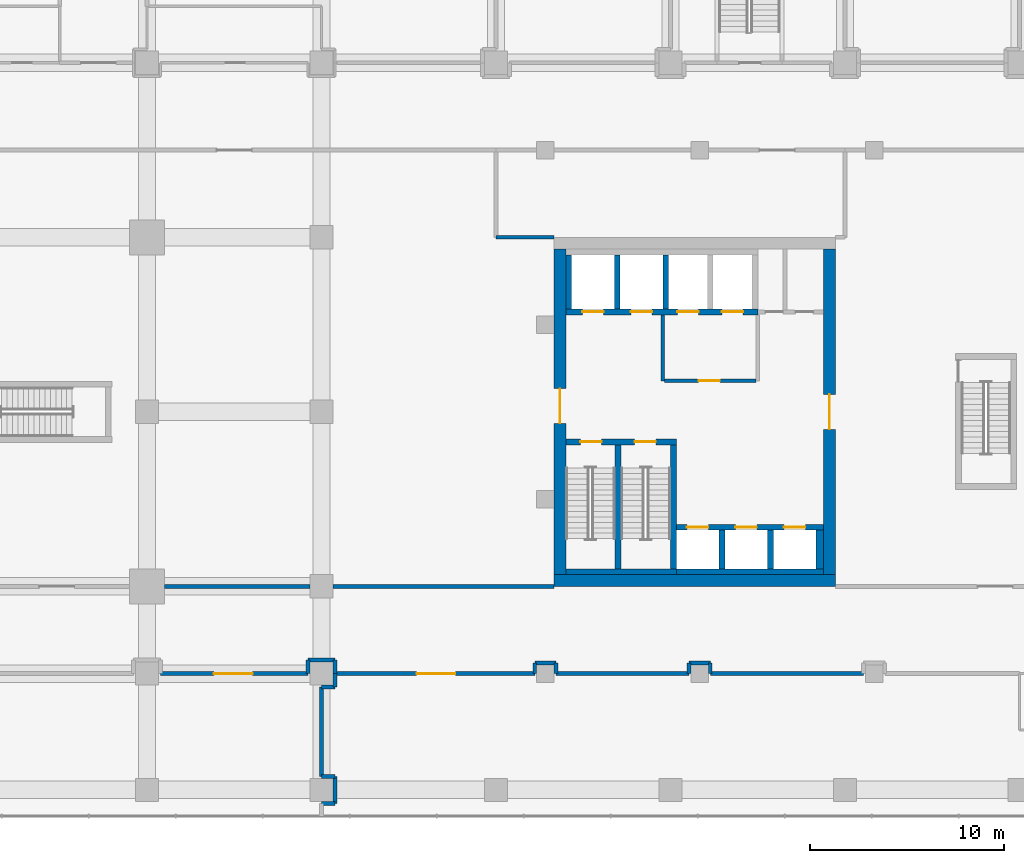
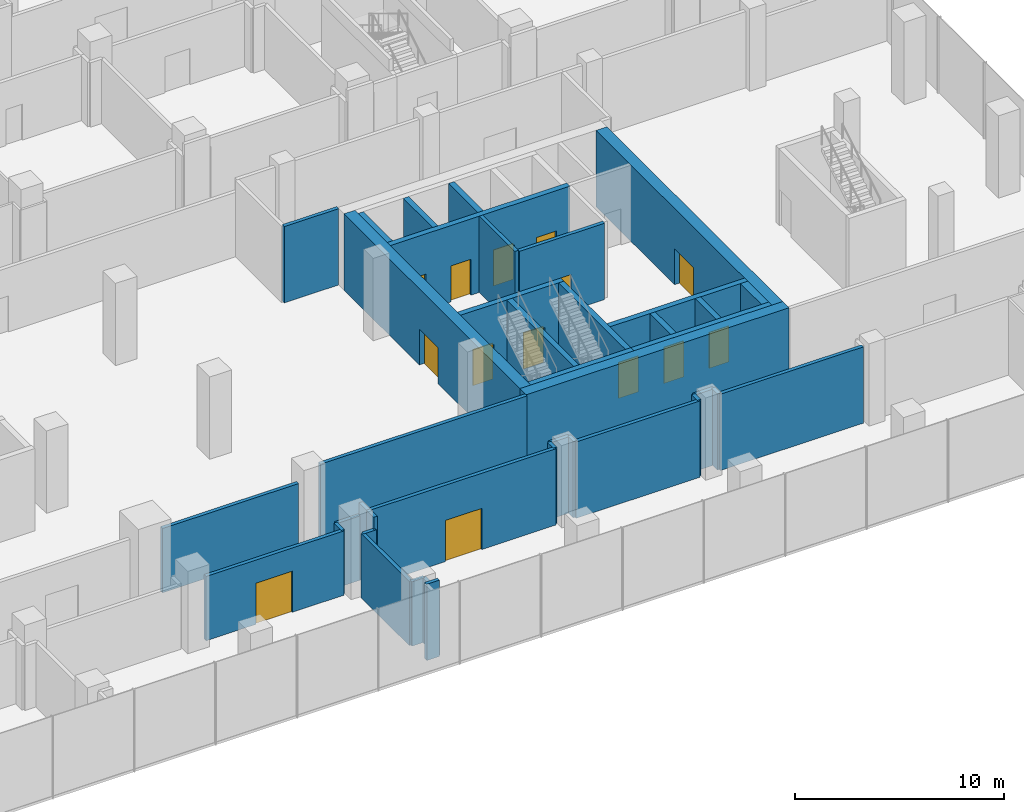
# One storey, part 33 of 42: 40 walls, 14 doors, 14 openings.
"""IFC4 building model written with IfcOpenShell, lengths in metres."""

from ifc_helpers import new_model, si_unit, direction, frame, frame_2d, origin, place, context, subcontext, project, spatial, rectangle, extrude, material, layer, layer_set, type_object, element, fill, save


model = new_model("IFC4")

# Units and contexts
model_context = context("Model", 3, precision=1e-05, world=origin(), true_north=direction((0.0, 1.0)))
body_context = subcontext(model_context, "Body", "Model", "MODEL_VIEW")
ifc_project = project(units=[si_unit("LENGTHUNIT", "METRE"), si_unit("AREAUNIT", "SQUARE_METRE"), si_unit("VOLUMEUNIT", "CUBIC_METRE"), si_unit("PLANEANGLEUNIT", "RADIAN"), si_unit("MASSUNIT", "GRAM", prefix="KILO")], contexts=[model_context])

# Site, building, storey
site_placement = place(None, origin())
site = spatial("IfcSite", under=ifc_project, at=site_placement, CompositionType="ELEMENT")
building_placement = place(site_placement, origin())
building = spatial("IfcBuilding", under=site, at=building_placement, Name="Plateau Cross Towers", CompositionType="ELEMENT")
storey_placement = place(building_placement, frame((0.0, 0.0, 8.0)))
storey = spatial("IfcBuildingStorey", under=building, at=storey_placement, Name="L01", CompositionType="ELEMENT", Elevation=8.0)

# Wall
ifc_material_1 = material(Name="Concrete block, plastered both sides", Category="concrete")
ifc_layer_1 = layer(ifc_material_1, 0.199951171875)
ifc_layer_set_1 = layer_set([ifc_layer_1], Name="Concrete block, plastered both sides")
wall_type_1 = type_object("IfcWallType", Name="Core partition 200", PredefinedType="PARTITIONING", material=ifc_layer_set_1)
wall_1_placement = place(storey_placement, frame((80.60009765625, 10.60009765625, 0.0), z_axis=(0.0, 0.0, 1.0), x_axis=(0.0, 1.0, 0.0)))
element("IfcWall", 1, at=wall_1_placement, inside=storey, type_object=wall_type_1, Name="Core partition", PredefinedType="PARTITIONING", context=body_context, shape_type="SweptSolid", body=[
    extrude(rectangle(XDim=3.39990234375, YDim=0.199951171875, at=frame_2d((1.699951171875, 0.0))), origin(), (0.0, 0.0, 1.0), 4.449951171875),
])

# Wall, opening, door
wall_2_placement = place(storey_placement, frame((80.699951171875, 10.60009765625, 0.0), z_axis=(0.0, 0.0, 1.0), x_axis=(1.0, 0.0, 0.0)))
wall_2 = element("IfcWall", 2, at=wall_2_placement, inside=storey, type_object=wall_type_1, Name="Core partition", PredefinedType="PARTITIONING", context=body_context, shape_type="SweptSolid", body=[
    extrude(rectangle(XDim=4.699951171875, YDim=0.199951171875, at=frame_2d((2.35009765625, 0.0))), origin(), (0.0, 0.0, 1.0), 4.449951171875),
])
opening_1_placement = place(wall_2_placement, frame((1.75, 0.0, 0.0)))
opening_1 = element("IfcOpeningElement", 3, at=opening_1_placement, cuts=wall_2, Name="Opening FFD", PredefinedType="OPENING", context=body_context, shape_type="SweptSolid", body=[
    extrude(rectangle(XDim=1.10009765625, YDim=2.10009765625, at=frame_2d((0.550048828125, 1.050048828125))), frame((0.0, 0.10986328125, 0.0), z_axis=(0.0, -1.0, 0.0), x_axis=(1.0, 0.0, 0.0)), (0.0, 0.0, 1.0), 0.219970703125),
])
ifc_material_2 = material(Name="Steel, fire-resisting leaf", Category="steel")
door_type_1 = type_object("IfcDoorType", Name="Firefighting lobby door 1100", OperationType="NOTDEFINED", PredefinedType="DOOR", material=ifc_material_2)
door_1_placement = place(opening_1_placement, origin())
door_1 = element("IfcDoor", 4, at=door_1_placement, inside=storey, type_object=door_type_1, Name="Firefighting lobby door FFD", OperationType="SINGLE_SWING_LEFT", OverallHeight=2.10009765625, OverallWidth=1.10009765625, PredefinedType="DOOR", context=body_context, shape_type="SweptSolid", body=[
    extrude(rectangle(XDim=1.10009765625, YDim=2.10009765625, at=frame_2d((0.550048828125, 1.050048828125))), frame((0.0, 0.02490234375, 0.0), z_axis=(0.0, -1.0, 0.0), x_axis=(1.0, 0.0, 0.0)), (0.0, 0.0, 1.0), 0.050048828125),
])
fill(opening_1, door_1)

# Wall
ifc_material_3 = material(Name="Concrete C60/75", Category="concrete")
ifc_layer_2 = layer(ifc_material_3, 0.300048828125)
ifc_layer_set_2 = layer_set([ifc_layer_2], Name="Concrete C60/75")
wall_type_2 = type_object("IfcWallType", Name="Core shaft wall 300", PredefinedType="SHEAR", material=ifc_layer_set_2)
wall_3_placement = place(storey_placement, frame((75.60009765625, 0.75, 0.0), z_axis=(0.0, 0.0, 1.0), x_axis=(1.0, 0.0, 0.0)))
element("IfcWall", 5, at=wall_3_placement, inside=storey, type_object=wall_type_2, Name="B-sb-stS@L01", PredefinedType="SHEAR", context=body_context, shape_type="SweptSolid", body=[
    extrude(rectangle(XDim=5.699951171875, YDim=0.300048828125, at=frame_2d((2.85009765625, 0.0))), origin(), (0.0, 0.0, 1.0), 4.449951171875),
])

# Wall, openings, doors
wall_4_placement = place(storey_placement, frame((75.60009765625, 7.449951171875, 0.0), z_axis=(0.0, 0.0, 1.0), x_axis=(1.0, 0.0, 0.0)))
wall_4 = element("IfcWall", 6, at=wall_4_placement, inside=storey, type_object=wall_type_2, Name="B-sb-stN@L01", PredefinedType="SHEAR", context=body_context, shape_type="SweptSolid", body=[
    extrude(rectangle(XDim=5.699951171875, YDim=0.300048828125, at=frame_2d((2.85009765625, 0.0))), origin(), (0.0, 0.0, 1.0), 4.449951171875),
])
opening_2_placement = place(wall_4_placement, frame((0.75, 0.0, 0.0)))
opening_2 = element("IfcOpeningElement", 7, at=opening_2_placement, cuts=wall_4, Name="Opening SD", PredefinedType="OPENING", context=body_context, shape_type="SweptSolid", body=[
    extrude(rectangle(XDim=1.10009765625, YDim=2.10009765625, at=frame_2d((0.550048828125, 1.050048828125))), frame((0.0, 0.159912109375, 0.0), z_axis=(0.0, -1.0, 0.0), x_axis=(1.0, 0.0, 0.0)), (0.0, 0.0, 1.0), 0.320068359375),
])
opening_3_placement = place(wall_4_placement, frame((3.550048828125, 0.0, 0.0)))
opening_3 = element("IfcOpeningElement", 8, at=opening_3_placement, cuts=wall_4, Name="Opening SD", PredefinedType="OPENING", context=body_context, shape_type="SweptSolid", body=[
    extrude(rectangle(XDim=1.10009765625, YDim=2.10009765625, at=frame_2d((0.550048828125, 1.050048828125))), frame((0.0, 0.159912109375, 0.0), z_axis=(0.0, -1.0, 0.0), x_axis=(1.0, 0.0, 0.0)), (0.0, 0.0, 1.0), 0.320068359375),
])
door_type_2 = type_object("IfcDoorType", Name="Stair door 1100", OperationType="NOTDEFINED", PredefinedType="DOOR", material=ifc_material_2)
door_2_placement = place(opening_2_placement, origin())
door_2 = element("IfcDoor", 9, at=door_2_placement, inside=storey, type_object=door_type_2, Name="Stair door SD", OperationType="SINGLE_SWING_RIGHT", OverallHeight=2.10009765625, OverallWidth=1.10009765625, PredefinedType="DOOR", context=body_context, shape_type="SweptSolid", body=[
    extrude(rectangle(XDim=1.10009765625, YDim=2.10009765625, at=frame_2d((0.550048828125, 1.050048828125))), frame((0.0, 0.02490234375, 0.0), z_axis=(0.0, -1.0, 0.0), x_axis=(1.0, 0.0, 0.0)), (0.0, 0.0, 1.0), 0.050048828125),
])
fill(opening_2, door_2)
door_3_placement = place(opening_3_placement, origin())
door_3 = element("IfcDoor", 10, at=door_3_placement, inside=storey, type_object=door_type_2, Name="Stair door SD", OperationType="SINGLE_SWING_LEFT", OverallHeight=2.10009765625, OverallWidth=1.10009765625, PredefinedType="DOOR", context=body_context, shape_type="SweptSolid", body=[
    extrude(rectangle(XDim=1.10009765625, YDim=2.10009765625, at=frame_2d((0.550048828125, 1.050048828125))), frame((0.0, 0.02490234375, 0.0), z_axis=(0.0, -1.0, 0.0), x_axis=(1.0, 0.0, 0.0)), (0.0, 0.0, 1.0), 0.050048828125),
])
fill(opening_3, door_3)

# Walls
for number, where, z_axis, x_axis, name in (
    (11, (78.300048828125, 0.89990234375, 0.0), (0.0, 0.0, 1.0), (0.0, 1.0, 0.0), "B-sb-st1@L01"),
    (12, (81.14990234375, 0.89990234375, 0.0), (0.0, 0.0, 1.0), (0.0, 1.0, 0.0), "B-sb-st2@L01"),
):
    element("IfcWall", number, at=place(storey_placement, frame(where, z_axis=z_axis, x_axis=x_axis)), inside=storey, type_object=wall_type_2, Name=name, PredefinedType="SHEAR", context=body_context, shape_type="SweptSolid", body=[
        extrude(rectangle(XDim=6.400146484375, YDim=0.300048828125, at=frame_2d((3.2001953125, 0.0))), origin(), (0.0, 0.0, 1.0), 4.449951171875),
    ])
wall_5_placement = place(storey_placement, frame((81.300048828125, 0.75, 0.0), z_axis=(0.0, 0.0, 1.0), x_axis=(1.0, 0.0, 0.0)))
element("IfcWall", 13, at=wall_5_placement, inside=storey, type_object=wall_type_2, Name="B-sb-back@L01", PredefinedType="SHEAR", context=body_context, shape_type="SweptSolid", body=[
    extrude(rectangle(XDim=7.599853515625, YDim=0.300048828125, at=frame_2d((3.7998046875, 0.0))), origin(), (0.0, 0.0, 1.0), 4.449951171875),
])
for number, where, z_axis, x_axis, name in (
    (14, (83.64990234375, 0.89990234375, 0.0), (0.0, 0.0, 1.0), (0.0, 1.0, 0.0), "B-sb-v1@L01"),
    (15, (86.14990234375, 0.89990234375, 0.0), (0.0, 0.0, 1.0), (0.0, 1.0, 0.0), "B-sb-v2@L01"),
):
    element("IfcWall", number, at=place(storey_placement, frame(where, z_axis=z_axis, x_axis=x_axis)), inside=storey, type_object=wall_type_2, Name=name, PredefinedType="SHEAR", context=body_context, shape_type="SweptSolid", body=[
        extrude(rectangle(XDim=2.0, YDim=0.300048828125, at=frame_2d((1.0, 0.0))), origin(), (0.0, 0.0, 1.0), 4.449951171875),
    ])

# Wall, openings, doors
wall_6_placement = place(storey_placement, frame((81.300048828125, 3.050048828125, 0.0), z_axis=(0.0, 0.0, 1.0), x_axis=(1.0, 0.0, 0.0)))
wall_6 = element("IfcWall", 16, at=wall_6_placement, inside=storey, type_object=wall_type_2, Name="B-sb-front@L01", PredefinedType="SHEAR", context=body_context, shape_type="SweptSolid", body=[
    extrude(rectangle(XDim=7.599853515625, YDim=0.300048828125, at=frame_2d((3.7998046875, 0.0))), origin(), (0.0, 0.0, 1.0), 4.449951171875),
])
opening_4_placement = place(wall_6_placement, frame((0.550048828125, 0.0, 0.0)))
opening_4 = element("IfcOpeningElement", 17, at=opening_4_placement, cuts=wall_6, Name="Opening LD", PredefinedType="OPENING", context=body_context, shape_type="SweptSolid", body=[
    extrude(rectangle(XDim=1.10009765625, YDim=2.10009765625, at=frame_2d((0.550048828125, 1.050048828125))), frame((0.0, 0.159912109375, 0.0), z_axis=(0.0, -1.0, 0.0), x_axis=(1.0, 0.0, 0.0)), (0.0, 0.0, 1.0), 0.320068359375),
])
opening_5_placement = place(wall_6_placement, frame((3.050048828125, 0.0, 0.0)))
opening_5 = element("IfcOpeningElement", 18, at=opening_5_placement, cuts=wall_6, Name="Opening LD", PredefinedType="OPENING", context=body_context, shape_type="SweptSolid", body=[
    extrude(rectangle(XDim=1.10009765625, YDim=2.10009765625, at=frame_2d((0.550048828125, 1.050048828125))), frame((0.0, 0.159912109375, 0.0), z_axis=(0.0, -1.0, 0.0), x_axis=(1.0, 0.0, 0.0)), (0.0, 0.0, 1.0), 0.320068359375),
])
opening_6_placement = place(wall_6_placement, frame((5.550048828125, 0.0, 0.0)))
opening_6 = element("IfcOpeningElement", 19, at=opening_6_placement, cuts=wall_6, Name="Opening LD", PredefinedType="OPENING", context=body_context, shape_type="SweptSolid", body=[
    extrude(rectangle(XDim=1.10009765625, YDim=2.10009765625, at=frame_2d((0.550048828125, 1.050048828125))), frame((0.0, 0.159912109375, 0.0), z_axis=(0.0, -1.0, 0.0), x_axis=(1.0, 0.0, 0.0)), (0.0, 0.0, 1.0), 0.320068359375),
])
ifc_material_4 = material(Name="Stainless steel, fire-resisting sliding leaves", Category="steel")
door_type_3 = type_object("IfcDoorType", Name="Lift landing door 1100", OperationType="NOTDEFINED", PredefinedType="DOOR", material=ifc_material_4)
door_4_placement = place(opening_4_placement, origin())
door_4 = element("IfcDoor", 20, at=door_4_placement, inside=storey, type_object=door_type_3, Name="Lift landing door LD", OperationType="DOUBLE_DOOR_SLIDING", OverallHeight=2.10009765625, OverallWidth=1.10009765625, PredefinedType="DOOR", context=body_context, shape_type="SweptSolid", body=[
    extrude(rectangle(XDim=1.10009765625, YDim=2.10009765625, at=frame_2d((0.550048828125, 1.050048828125))), frame((0.0, 0.02490234375, 0.0), z_axis=(0.0, -1.0, 0.0), x_axis=(1.0, 0.0, 0.0)), (0.0, 0.0, 1.0), 0.050048828125),
])
fill(opening_4, door_4)
door_5_placement = place(opening_5_placement, origin())
door_5 = element("IfcDoor", 21, at=door_5_placement, inside=storey, type_object=door_type_3, Name="Lift landing door LD", OperationType="DOUBLE_DOOR_SLIDING", OverallHeight=2.10009765625, OverallWidth=1.10009765625, PredefinedType="DOOR", context=body_context, shape_type="SweptSolid", body=[
    extrude(rectangle(XDim=1.10009765625, YDim=2.10009765625, at=frame_2d((0.550048828125, 1.050048828125))), frame((0.0, 0.02490234375, 0.0), z_axis=(0.0, -1.0, 0.0), x_axis=(1.0, 0.0, 0.0)), (0.0, 0.0, 1.0), 0.050048828125),
])
fill(opening_5, door_5)
door_6_placement = place(opening_6_placement, origin())
door_6 = element("IfcDoor", 22, at=door_6_placement, inside=storey, type_object=door_type_3, Name="Lift landing door LD", OperationType="DOUBLE_DOOR_SLIDING", OverallHeight=2.10009765625, OverallWidth=1.10009765625, PredefinedType="DOOR", context=body_context, shape_type="SweptSolid", body=[
    extrude(rectangle(XDim=1.10009765625, YDim=2.10009765625, at=frame_2d((0.550048828125, 1.050048828125))), frame((0.0, 0.02490234375, 0.0), z_axis=(0.0, -1.0, 0.0), x_axis=(1.0, 0.0, 0.0)), (0.0, 0.0, 1.0), 0.050048828125),
])
fill(opening_6, door_6)

wall_7_placement = place(storey_placement, frame((75.60009765625, 14.14990234375, 0.0), z_axis=(0.0, 0.0, 1.0), x_axis=(1.0, 0.0, 0.0)))
wall_7 = element("IfcWall", 23, at=wall_7_placement, inside=storey, type_object=wall_type_2, Name="B-nb-front@L01", PredefinedType="SHEAR", context=body_context, shape_type="SweptSolid", body=[
    extrude(rectangle(XDim=9.89990234375, YDim=0.300048828125, at=frame_2d((4.949951171875, 0.0))), origin(), (0.0, 0.0, 1.0), 4.449951171875),
])
opening_7_placement = place(wall_7_placement, frame((0.85009765625, 0.0, 0.0)))
opening_7 = element("IfcOpeningElement", 24, at=opening_7_placement, cuts=wall_7, Name="Opening LD", PredefinedType="OPENING", context=body_context, shape_type="SweptSolid", body=[
    extrude(rectangle(XDim=1.10009765625, YDim=2.10009765625, at=frame_2d((0.550048828125, 1.050048828125))), frame((0.0, 0.159912109375, 0.0), z_axis=(0.0, -1.0, 0.0), x_axis=(1.0, 0.0, 0.0)), (0.0, 0.0, 1.0), 0.320068359375),
])
opening_8_placement = place(wall_7_placement, frame((3.35009765625, 0.0, 0.0)))
opening_8 = element("IfcOpeningElement", 25, at=opening_8_placement, cuts=wall_7, Name="Opening LD", PredefinedType="OPENING", context=body_context, shape_type="SweptSolid", body=[
    extrude(rectangle(XDim=1.10009765625, YDim=2.10009765625, at=frame_2d((0.550048828125, 1.050048828125))), frame((0.0, 0.159912109375, 0.0), z_axis=(0.0, -1.0, 0.0), x_axis=(1.0, 0.0, 0.0)), (0.0, 0.0, 1.0), 0.320068359375),
])
opening_9_placement = place(wall_7_placement, frame((5.75, 0.0, 0.0)))
opening_9 = element("IfcOpeningElement", 26, at=opening_9_placement, cuts=wall_7, Name="Opening LD", PredefinedType="OPENING", context=body_context, shape_type="SweptSolid", body=[
    extrude(rectangle(XDim=1.10009765625, YDim=2.10009765625, at=frame_2d((0.550048828125, 1.050048828125))), frame((0.0, 0.159912109375, 0.0), z_axis=(0.0, -1.0, 0.0), x_axis=(1.0, 0.0, 0.0)), (0.0, 0.0, 1.0), 0.320068359375),
])
opening_10_placement = place(wall_7_placement, frame((8.050048828125, 0.0, 0.0)))
opening_10 = element("IfcOpeningElement", 27, at=opening_10_placement, cuts=wall_7, Name="Opening LD", PredefinedType="OPENING", context=body_context, shape_type="SweptSolid", body=[
    extrude(rectangle(XDim=1.10009765625, YDim=2.10009765625, at=frame_2d((0.550048828125, 1.050048828125))), frame((0.0, 0.159912109375, 0.0), z_axis=(0.0, -1.0, 0.0), x_axis=(1.0, 0.0, 0.0)), (0.0, 0.0, 1.0), 0.320068359375),
])
door_7_placement = place(opening_7_placement, origin())
door_7 = element("IfcDoor", 28, at=door_7_placement, inside=storey, type_object=door_type_3, Name="Lift landing door LD", OperationType="DOUBLE_DOOR_SLIDING", OverallHeight=2.10009765625, OverallWidth=1.10009765625, PredefinedType="DOOR", context=body_context, shape_type="SweptSolid", body=[
    extrude(rectangle(XDim=1.10009765625, YDim=2.10009765625, at=frame_2d((0.550048828125, 1.050048828125))), frame((0.0, 0.02490234375, 0.0), z_axis=(0.0, -1.0, 0.0), x_axis=(1.0, 0.0, 0.0)), (0.0, 0.0, 1.0), 0.050048828125),
])
fill(opening_7, door_7)
door_8_placement = place(opening_8_placement, origin())
door_8 = element("IfcDoor", 29, at=door_8_placement, inside=storey, type_object=door_type_3, Name="Lift landing door LD", OperationType="DOUBLE_DOOR_SLIDING", OverallHeight=2.10009765625, OverallWidth=1.10009765625, PredefinedType="DOOR", context=body_context, shape_type="SweptSolid", body=[
    extrude(rectangle(XDim=1.10009765625, YDim=2.10009765625, at=frame_2d((0.550048828125, 1.050048828125))), frame((0.0, 0.02490234375, 0.0), z_axis=(0.0, -1.0, 0.0), x_axis=(1.0, 0.0, 0.0)), (0.0, 0.0, 1.0), 0.050048828125),
])
fill(opening_8, door_8)
door_9_placement = place(opening_9_placement, origin())
door_9 = element("IfcDoor", 30, at=door_9_placement, inside=storey, type_object=door_type_3, Name="Lift landing door LD", OperationType="DOUBLE_DOOR_SLIDING", OverallHeight=2.10009765625, OverallWidth=1.10009765625, PredefinedType="DOOR", context=body_context, shape_type="SweptSolid", body=[
    extrude(rectangle(XDim=1.10009765625, YDim=2.10009765625, at=frame_2d((0.550048828125, 1.050048828125))), frame((0.0, 0.02490234375, 0.0), z_axis=(0.0, -1.0, 0.0), x_axis=(1.0, 0.0, 0.0)), (0.0, 0.0, 1.0), 0.050048828125),
])
fill(opening_9, door_9)
door_10_placement = place(opening_10_placement, origin())
door_10 = element("IfcDoor", 31, at=door_10_placement, inside=storey, type_object=door_type_3, Name="Lift landing door LD", OperationType="DOUBLE_DOOR_SLIDING", OverallHeight=2.10009765625, OverallWidth=1.10009765625, PredefinedType="DOOR", context=body_context, shape_type="SweptSolid", body=[
    extrude(rectangle(XDim=1.10009765625, YDim=2.10009765625, at=frame_2d((0.550048828125, 1.050048828125))), frame((0.0, 0.02490234375, 0.0), z_axis=(0.0, -1.0, 0.0), x_axis=(1.0, 0.0, 0.0)), (0.0, 0.0, 1.0), 0.050048828125),
])
fill(opening_10, door_10)

# Walls
for number, where, z_axis, x_axis, name in (
    (32, (75.75, 14.300048828125, 0.0), (0.0, 0.0, 1.0), (0.0, 1.0, 0.0), "B-nb-v0@L01"),
    (33, (78.25, 14.300048828125, 0.0), (0.0, 0.0, 1.0), (0.0, 1.0, 0.0), "B-nb-v1@L01"),
    (34, (80.75, 14.300048828125, 0.0), (0.0, 0.0, 1.0), (0.0, 1.0, 0.0), "B-nb-v2@L01"),
):
    element("IfcWall", number, at=place(storey_placement, frame(where, z_axis=z_axis, x_axis=x_axis)), inside=storey, type_object=wall_type_2, Name=name, PredefinedType="SHEAR", context=body_context, shape_type="SweptSolid", body=[
        extrude(rectangle(XDim=2.800048828125, YDim=0.300048828125, at=frame_2d((1.39990234375, 0.0))), origin(), (0.0, 0.0, 1.0), 4.449951171875),
    ])
ifc_layer_3 = layer(ifc_material_3, 0.39990234375)
ifc_layer_set_3 = layer_set([ifc_layer_3], Name="Concrete C60/75")
wall_type_3 = type_object("IfcWallType", Name="Core shaft wall 400", PredefinedType="SHEAR", material=ifc_layer_set_3)
wall_8_placement = place(storey_placement, frame((88.699951171875, 0.89990234375, 0.0), z_axis=(0.0, 0.0, 1.0), x_axis=(0.0, 1.0, 0.0)))
element("IfcWall", 35, at=wall_8_placement, inside=storey, type_object=wall_type_3, Name="B-sb-v3@L01", PredefinedType="SHEAR", context=body_context, shape_type="SweptSolid", body=[
    extrude(rectangle(XDim=2.0, YDim=0.39990234375, at=frame_2d((1.0, 0.0))), origin(), (0.0, 0.0, 1.0), 4.449951171875),
])
ifc_layer_4 = layer(ifc_material_3, 0.60009765625)
ifc_layer_set_4 = layer_set([ifc_layer_4], Name="Concrete C60/75")
wall_type_4 = type_object("IfcWallType", Name="Core shell wall 600", PredefinedType="SHEAR", material=ifc_layer_set_4)
wall_9_placement = place(storey_placement, frame((75.0, 0.300048828125, 0.0), z_axis=(0.0, 0.0, 1.0), x_axis=(1.0, 0.0, 0.0)))
element("IfcWall", 36, at=wall_9_placement, inside=storey, type_object=wall_type_4, Name="B-core-S@L01", PredefinedType="SHEAR", context=body_context, shape_type="SweptSolid", body=[
    extrude(rectangle(XDim=14.5, YDim=0.60009765625, at=frame_2d((7.25, 0.0))), origin(), (0.0, 0.0, 1.0), 4.449951171875),
])

# Wall, opening, door
wall_10_placement = place(storey_placement, frame((75.300048828125, 0.60009765625, 0.0), z_axis=(0.0, 0.0, 1.0), x_axis=(0.0, 1.0, 0.0)))
wall_10 = element("IfcWall", 37, at=wall_10_placement, inside=storey, type_object=wall_type_4, Name="B-core-W@L01", PredefinedType="SHEAR", context=body_context, shape_type="SweptSolid", body=[
    extrude(rectangle(XDim=16.7998046875, YDim=0.60009765625, at=frame_2d((8.39990234375, 0.0))), origin(), (0.0, 0.0, 1.0), 4.449951171875),
])
opening_11_placement = place(wall_10_placement, frame((7.800048828125, 0.0, 0.0)))
opening_11 = element("IfcOpeningElement", 38, at=opening_11_placement, cuts=wall_10, Name="Opening CD", PredefinedType="OPENING", context=body_context, shape_type="SweptSolid", body=[
    extrude(rectangle(XDim=1.800048828125, YDim=2.10009765625, at=frame_2d((0.89990234375, 1.050048828125))), frame((0.0, 0.31005859375, 0.0), z_axis=(0.0, -1.0, 0.0), x_axis=(1.0, 0.0, 0.0)), (0.0, 0.0, 1.0), 0.6201171875),
])
ifc_material_5 = material(Name="Steel, fire-resisting leaves", Category="steel")
door_type_4 = type_object("IfcDoorType", Name="Corridor door pair 1800", OperationType="NOTDEFINED", PredefinedType="DOOR", material=ifc_material_5)
door_11_placement = place(opening_11_placement, origin())
door_11 = element("IfcDoor", 39, at=door_11_placement, inside=storey, type_object=door_type_4, Name="Corridor door pair CD", OperationType="DOUBLE_DOOR_SINGLE_SWING", OverallHeight=2.10009765625, OverallWidth=1.800048828125, PredefinedType="DOOR", context=body_context, shape_type="SweptSolid", body=[
    extrude(rectangle(XDim=1.800048828125, YDim=2.10009765625, at=frame_2d((0.89990234375, 1.050048828125))), frame((0.0, 0.02490234375, 0.0), z_axis=(0.0, -1.0, 0.0), x_axis=(1.0, 0.0, 0.0)), (0.0, 0.0, 1.0), 0.050048828125),
])
fill(opening_11, door_11)

wall_11_placement = place(storey_placement, frame((89.199951171875, 0.60009765625, 0.0), z_axis=(0.0, 0.0, 1.0), x_axis=(0.0, 1.0, 0.0)))
wall_11 = element("IfcWall", 40, at=wall_11_placement, inside=storey, type_object=wall_type_4, Name="B-core-E@L01", PredefinedType="SHEAR", context=body_context, shape_type="SweptSolid", body=[
    extrude(rectangle(XDim=16.7998046875, YDim=0.60009765625, at=frame_2d((8.39990234375, 0.0))), origin(), (0.0, 0.0, 1.0), 4.449951171875),
])
opening_12_placement = place(wall_11_placement, frame((7.5, 0.0, 0.0)))
opening_12 = element("IfcOpeningElement", 41, at=opening_12_placement, cuts=wall_11, Name="Opening CD", PredefinedType="OPENING", context=body_context, shape_type="SweptSolid", body=[
    extrude(rectangle(XDim=1.800048828125, YDim=2.10009765625, at=frame_2d((0.89990234375, 1.050048828125))), frame((0.0, 0.31005859375, 0.0), z_axis=(0.0, -1.0, 0.0), x_axis=(1.0, 0.0, 0.0)), (0.0, 0.0, 1.0), 0.6201171875),
])
door_12_placement = place(opening_12_placement, origin())
door_12 = element("IfcDoor", 42, at=door_12_placement, inside=storey, type_object=door_type_4, Name="Corridor door pair CD", OperationType="DOUBLE_DOOR_SINGLE_SWING", OverallHeight=2.10009765625, OverallWidth=1.800048828125, PredefinedType="DOOR", context=body_context, shape_type="SweptSolid", body=[
    extrude(rectangle(XDim=1.800048828125, YDim=2.10009765625, at=frame_2d((0.89990234375, 1.050048828125))), frame((0.0, 0.02490234375, 0.0), z_axis=(0.0, -1.0, 0.0), x_axis=(1.0, 0.0, 0.0)), (0.0, 0.0, 1.0), 0.050048828125),
])
fill(opening_12, door_12)

# Walls
ifc_material_6 = material(Name="Gypsum board on steel studs", Category="steel")
ifc_layer_5 = layer(ifc_material_6, 0.199951171875)
ifc_layer_set_5 = layer_set([ifc_layer_5], Name="Gypsum board on steel studs")
wall_type_5 = type_object("IfcWallType", Name="Podium partition 200", PredefinedType="PARTITIONING", material=ifc_layer_set_5)
wall_12_placement = place(storey_placement, frame((90.949951171875, -4.5, 0.0), z_axis=(0.0, 0.0, 1.0), x_axis=(-1.0, 0.0, 0.0)))
element("IfcWall", 43, at=wall_12_placement, inside=storey, type_object=wall_type_5, Name="Partition wall", PredefinedType="PARTITIONING", context=body_context, shape_type="SweptSolid", body=[
    extrude(rectangle(XDim=7.89990234375, YDim=0.199951171875, at=frame_2d((3.949951171875, 0.0))), origin(), (0.0, 0.0, 1.0), 4.449951171875),
])
wall_13_placement = place(storey_placement, frame((83.050048828125, -4.5, 0.0), z_axis=(0.0, 0.0, 1.0), x_axis=(0.0, 1.0, 0.0)))
element("IfcWall", 44, at=wall_13_placement, inside=storey, type_object=wall_type_5, Name="Partition wall", PredefinedType="PARTITIONING", context=body_context, shape_type="SweptSolid", body=[
    extrude(rectangle(XDim=0.550048828125, YDim=0.199951171875, at=frame_2d((0.27490234375, 0.0))), origin(), (0.0, 0.0, 1.0), 4.449951171875),
])
wall_14_placement = place(storey_placement, frame((83.050048828125, -3.949951171875, 0.0), z_axis=(0.0, 0.0, 1.0), x_axis=(-1.0, 0.0, 0.0)))
element("IfcWall", 45, at=wall_14_placement, inside=storey, type_object=wall_type_5, Name="Partition wall", PredefinedType="PARTITIONING", context=body_context, shape_type="SweptSolid", body=[
    extrude(rectangle(XDim=1.10009765625, YDim=0.199951171875, at=frame_2d((0.550048828125, 0.0))), origin(), (0.0, 0.0, 1.0), 4.449951171875),
])
wall_15_placement = place(storey_placement, frame((81.949951171875, -3.949951171875, 0.0), z_axis=(0.0, 0.0, 1.0), x_axis=(0.0, -1.0, 0.0)))
element("IfcWall", 46, at=wall_15_placement, inside=storey, type_object=wall_type_5, Name="Partition wall", PredefinedType="PARTITIONING", context=body_context, shape_type="SweptSolid", body=[
    extrude(rectangle(XDim=0.550048828125, YDim=0.199951171875, at=frame_2d((0.27490234375, 0.0))), origin(), (0.0, 0.0, 1.0), 4.449951171875),
])
wall_16_placement = place(storey_placement, frame((81.949951171875, -4.5, 0.0), z_axis=(0.0, 0.0, 1.0), x_axis=(-1.0, 0.0, 0.0)))
element("IfcWall", 47, at=wall_16_placement, inside=storey, type_object=wall_type_5, Name="Partition wall", PredefinedType="PARTITIONING", context=body_context, shape_type="SweptSolid", body=[
    extrude(rectangle(XDim=6.849853515625, YDim=0.199951171875, at=frame_2d((3.4248046875, 0.0))), origin(), (0.0, 0.0, 1.0), 4.449951171875),
])
wall_17_placement = place(storey_placement, frame((75.10009765625, -4.5, 0.0), z_axis=(0.0, 0.0, 1.0), x_axis=(0.0, 1.0, 0.0)))
element("IfcWall", 48, at=wall_17_placement, inside=storey, type_object=wall_type_5, Name="Partition wall", PredefinedType="PARTITIONING", context=body_context, shape_type="SweptSolid", body=[
    extrude(rectangle(XDim=0.550048828125, YDim=0.199951171875, at=frame_2d((0.27490234375, 0.0))), origin(), (0.0, 0.0, 1.0), 4.449951171875),
])
wall_18_placement = place(storey_placement, frame((75.10009765625, -3.949951171875, 0.0), z_axis=(0.0, 0.0, 1.0), x_axis=(-1.0, 0.0, 0.0)))
element("IfcWall", 49, at=wall_18_placement, inside=storey, type_object=wall_type_5, Name="Partition wall", PredefinedType="PARTITIONING", context=body_context, shape_type="SweptSolid", body=[
    extrude(rectangle(XDim=1.10009765625, YDim=0.199951171875, at=frame_2d((0.550048828125, 0.0))), origin(), (0.0, 0.0, 1.0), 4.449951171875),
])
wall_19_placement = place(storey_placement, frame((74.0, -3.949951171875, 0.0), z_axis=(0.0, 0.0, 1.0), x_axis=(0.0, -1.0, 0.0)))
element("IfcWall", 50, at=wall_19_placement, inside=storey, type_object=wall_type_5, Name="Partition wall", PredefinedType="PARTITIONING", context=body_context, shape_type="SweptSolid", body=[
    extrude(rectangle(XDim=0.550048828125, YDim=0.199951171875, at=frame_2d((0.27490234375, 0.0))), origin(), (0.0, 0.0, 1.0), 4.449951171875),
])

# Wall, opening, door
wall_20_placement = place(storey_placement, frame((74.0, -4.5, 0.0), z_axis=(0.0, 0.0, 1.0), x_axis=(-1.0, 0.0, 0.0)))
wall_20 = element("IfcWall", 51, at=wall_20_placement, inside=storey, type_object=wall_type_5, Name="Partition wall", PredefinedType="PARTITIONING", context=body_context, shape_type="SweptSolid", body=[
    extrude(rectangle(XDim=10.300048828125, YDim=0.199951171875, at=frame_2d((5.14990234375, 0.0))), origin(), (0.0, 0.0, 1.0), 4.449951171875),
])
opening_13_placement = place(wall_20_placement, frame((4.10009765625, 0.0, 0.0)))
opening_13 = element("IfcOpeningElement", 52, at=opening_13_placement, cuts=wall_20, Name="Opening 01-11", PredefinedType="OPENING", context=body_context, shape_type="SweptSolid", body=[
    extrude(rectangle(XDim=2.0, YDim=2.39990234375, at=frame_2d((1.0, 1.199951171875))), frame((0.0, 0.10986328125, 0.0), z_axis=(0.0, -1.0, 0.0), x_axis=(1.0, 0.0, 0.0)), (0.0, 0.0, 1.0), 0.219970703125),
])
ifc_material_7 = material(Name="Aluminium frame, toughened glass", Category="aluminium")
door_type_5 = type_object("IfcDoorType", Name="Shop entrance double door 2000x2400", OperationType="NOTDEFINED", PredefinedType="DOOR", material=ifc_material_7)
door_13_placement = place(opening_13_placement, origin())
door_13 = element("IfcDoor", 53, at=door_13_placement, inside=storey, type_object=door_type_5, Name="Door 01-11", OperationType="SINGLE_SWING_LEFT", OverallHeight=2.39990234375, OverallWidth=2.0, PredefinedType="DOOR", context=body_context, shape_type="SweptSolid", body=[
    extrude(rectangle(XDim=2.0, YDim=2.39990234375, at=frame_2d((1.0, 1.199951171875))), frame((0.0, 0.02490234375, 0.0), z_axis=(0.0, -1.0, 0.0), x_axis=(1.0, 0.0, 0.0)), (0.0, 0.0, 1.0), 0.050048828125),
])
fill(opening_13, door_13)

# Walls
wall_21_placement = place(storey_placement, frame((54.89990234375, 0.0, 0.0), z_axis=(0.0, 0.0, 1.0), x_axis=(1.0, 0.0, 0.0)))
element("IfcWall", 54, at=wall_21_placement, inside=storey, type_object=wall_type_5, Name="Partition wall", PredefinedType="PARTITIONING", context=body_context, shape_type="SweptSolid", body=[
    extrude(rectangle(XDim=7.5, YDim=0.199951171875, at=frame_2d((3.75, 0.0))), origin(), (0.0, 0.0, 1.0), 3.75),
])
wall_22_placement = place(storey_placement, frame((63.60009765625, 0.0, 0.0), z_axis=(0.0, 0.0, 1.0), x_axis=(1.0, 0.0, 0.0)))
element("IfcWall", 55, at=wall_22_placement, inside=storey, type_object=wall_type_5, Name="Partition wall", PredefinedType="PARTITIONING", context=body_context, shape_type="SweptSolid", body=[
    extrude(rectangle(XDim=11.39990234375, YDim=0.199951171875, at=frame_2d((5.699951171875, 0.0))), origin(), (0.0, 0.0, 1.0), 4.449951171875),
])
wall_23_placement = place(storey_placement, frame((63.699951171875, -4.5, 0.0), z_axis=(0.0, 0.0, 1.0), x_axis=(0.0, 1.0, 0.0)))
element("IfcWall", 56, at=wall_23_placement, inside=storey, type_object=wall_type_5, Name="Partition wall", PredefinedType="PARTITIONING", context=body_context, shape_type="SweptSolid", body=[
    extrude(rectangle(XDim=0.699951171875, YDim=0.199951171875, at=frame_2d((0.35009765625, 0.0))), origin(), (0.0, 0.0, 1.0), 4.449951171875),
])
wall_24_placement = place(storey_placement, frame((63.699951171875, -3.800048828125, 0.0), z_axis=(0.0, 0.0, 1.0), x_axis=(-1.0, 0.0, 0.0)))
element("IfcWall", 57, at=wall_24_placement, inside=storey, type_object=wall_type_5, Name="Partition wall", PredefinedType="PARTITIONING", context=body_context, shape_type="SweptSolid", body=[
    extrude(rectangle(XDim=1.39990234375, YDim=0.199951171875, at=frame_2d((0.699951171875, 0.0))), origin(), (0.0, 0.0, 1.0), 3.75),
])
wall_25_placement = place(storey_placement, frame((62.300048828125, -3.800048828125, 0.0), z_axis=(0.0, 0.0, 1.0), x_axis=(0.0, -1.0, 0.0)))
element("IfcWall", 58, at=wall_25_placement, inside=storey, type_object=wall_type_5, Name="Partition wall", PredefinedType="PARTITIONING", context=body_context, shape_type="SweptSolid", body=[
    extrude(rectangle(XDim=0.699951171875, YDim=0.199951171875, at=frame_2d((0.35009765625, 0.0))), origin(), (0.0, 0.0, 1.0), 3.75),
])

# Wall, opening, door
wall_26_placement = place(storey_placement, frame((62.300048828125, -4.5, 0.0), z_axis=(0.0, 0.0, 1.0), x_axis=(-1.0, 0.0, 0.0)))
wall_26 = element("IfcWall", 59, at=wall_26_placement, inside=storey, type_object=wall_type_5, Name="Partition wall", PredefinedType="PARTITIONING", context=body_context, shape_type="SweptSolid", body=[
    extrude(rectangle(XDim=7.60009765625, YDim=0.199951171875, at=frame_2d((3.800048828125, 0.0))), origin(), (0.0, 0.0, 1.0), 3.75),
])
opening_14_placement = place(wall_26_placement, frame((2.85009765625, 0.0, 0.0)))
opening_14 = element("IfcOpeningElement", 60, at=opening_14_placement, cuts=wall_26, Name="Opening 01-10", PredefinedType="OPENING", context=body_context, shape_type="SweptSolid", body=[
    extrude(rectangle(XDim=2.0, YDim=2.39990234375, at=frame_2d((1.0, 1.199951171875))), frame((0.0, 0.10986328125, 0.0), z_axis=(0.0, -1.0, 0.0), x_axis=(1.0, 0.0, 0.0)), (0.0, 0.0, 1.0), 0.219970703125),
])
door_14_placement = place(opening_14_placement, origin())
door_14 = element("IfcDoor", 61, at=door_14_placement, inside=storey, type_object=door_type_5, Name="Door 01-10", OperationType="SINGLE_SWING_LEFT", OverallHeight=2.39990234375, OverallWidth=2.0, PredefinedType="DOOR", context=body_context, shape_type="SweptSolid", body=[
    extrude(rectangle(XDim=2.0, YDim=2.39990234375, at=frame_2d((1.0, 1.199951171875))), frame((0.0, 0.02490234375, 0.0), z_axis=(0.0, -1.0, 0.0), x_axis=(1.0, 0.0, 0.0)), (0.0, 0.0, 1.0), 0.050048828125),
])
fill(opening_14, door_14)

# Walls
wall_27_placement = place(storey_placement, frame((63.699951171875, -4.5, 0.0), z_axis=(0.0, 0.0, 1.0), x_axis=(0.0, -1.0, 0.0)))
element("IfcWall", 62, at=wall_27_placement, inside=storey, type_object=wall_type_5, Name="Partition wall", PredefinedType="PARTITIONING", context=body_context, shape_type="SweptSolid", body=[
    extrude(rectangle(XDim=0.699951171875, YDim=0.199951171875, at=frame_2d((0.35009765625, 0.0))), origin(), (0.0, 0.0, 1.0), 4.449951171875),
])
wall_28_placement = place(storey_placement, frame((63.699951171875, -5.199951171875, 0.0), z_axis=(0.0, 0.0, 1.0), x_axis=(-1.0, 0.0, 0.0)))
element("IfcWall", 63, at=wall_28_placement, inside=storey, type_object=wall_type_5, Name="Partition wall", PredefinedType="PARTITIONING", context=body_context, shape_type="SweptSolid", body=[
    extrude(rectangle(XDim=0.699951171875, YDim=0.199951171875, at=frame_2d((0.35009765625, 0.0))), origin(), (0.0, 0.0, 1.0), 3.75),
])
wall_29_placement = place(storey_placement, frame((63.0, -5.199951171875, 0.0), z_axis=(0.0, 0.0, 1.0), x_axis=(0.0, -1.0, 0.0)))
element("IfcWall", 64, at=wall_29_placement, inside=storey, type_object=wall_type_5, Name="Partition wall", PredefinedType="PARTITIONING", context=body_context, shape_type="SweptSolid", body=[
    extrude(rectangle(XDim=4.60009765625, YDim=0.199951171875, at=frame_2d((2.300048828125, 0.0))), origin(), (0.0, 0.0, 1.0), 3.75),
])
wall_30_placement = place(storey_placement, frame((63.0, -9.800048828125, 0.0), z_axis=(0.0, 0.0, 1.0), x_axis=(1.0, 0.0, 0.0)))
element("IfcWall", 65, at=wall_30_placement, inside=storey, type_object=wall_type_5, Name="Partition wall", PredefinedType="PARTITIONING", context=body_context, shape_type="SweptSolid", body=[
    extrude(rectangle(XDim=0.699951171875, YDim=0.199951171875, at=frame_2d((0.35009765625, 0.0))), origin(), (0.0, 0.0, 1.0), 3.75),
])
wall_31_placement = place(storey_placement, frame((63.699951171875, -9.800048828125, 0.0), z_axis=(0.0, 0.0, 1.0), x_axis=(0.0, -1.0, 0.0)))
element("IfcWall", 66, at=wall_31_placement, inside=storey, type_object=wall_type_5, Name="Partition wall", PredefinedType="PARTITIONING", context=body_context, shape_type="SweptSolid", body=[
    extrude(rectangle(XDim=1.39990234375, YDim=0.199951171875, at=frame_2d((0.699951171875, 0.0))), origin(), (0.0, 0.0, 1.0), 3.75),
])
wall_32_placement = place(storey_placement, frame((63.699951171875, -11.199951171875, 0.0), z_axis=(0.0, 0.0, 1.0), x_axis=(-1.0, 0.0, 0.0)))
element("IfcWall", 67, at=wall_32_placement, inside=storey, type_object=wall_type_5, Name="Partition wall", PredefinedType="PARTITIONING", context=body_context, shape_type="SweptSolid", body=[
    extrude(rectangle(XDim=0.699951171875, YDim=0.199951171875, at=frame_2d((0.35009765625, 0.0))), origin(), (0.0, 0.0, 1.0), 4.449951171875),
])
wall_33_placement = place(storey_placement, frame((75.0, 18.0, 0.0), z_axis=(0.0, 0.0, 1.0), x_axis=(-1.0, 0.0, 0.0)))
element("IfcWall", 68, at=wall_33_placement, inside=storey, type_object=wall_type_5, Name="Partition wall", PredefinedType="PARTITIONING", context=body_context, shape_type="SweptSolid", body=[
    extrude(rectangle(XDim=3.0, YDim=0.199951171875, at=frame_2d((1.5, 0.0))), origin(), (0.0, 0.0, 1.0), 4.449951171875),
])

save(model, "model.ifc")
